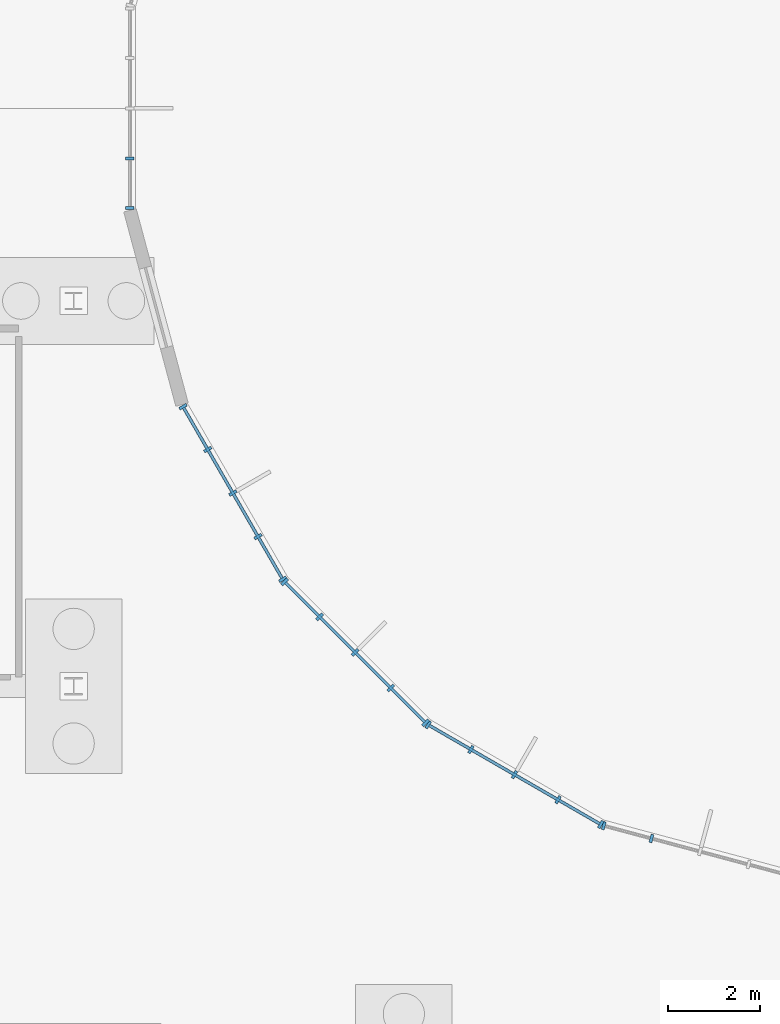
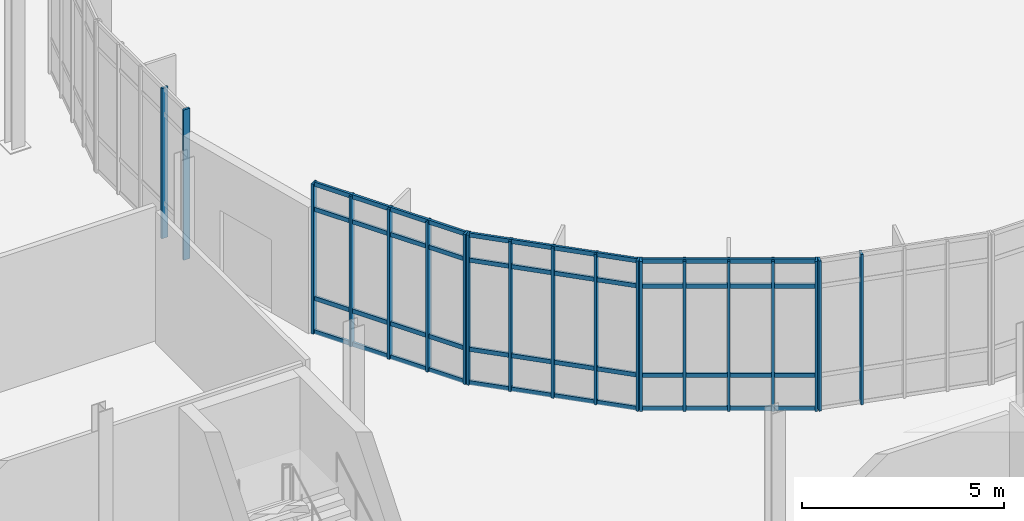
# One storey, part 38 of 118: 31 members, 5 elements without a shape of their own.
"""IFC4 building model written with IfcOpenShell, lengths in metres."""

from ifc_helpers import new_model, si_unit, direction, frame, origin, origin_2d, place, context, subcontext, project, spatial, rectangle, extrude, material, material_profile, profile_set, type_object, element, aggregate, save


model = new_model("IFC4")

# Units and contexts
model_context = context("Model", 3, precision=1e-05, world=origin(), true_north=direction((0.0, 1.0)))
body_context = subcontext(model_context, "Body", "Model", "MODEL_VIEW")
ifc_project = project(units=[si_unit("LENGTHUNIT", "METRE"), si_unit("AREAUNIT", "SQUARE_METRE"), si_unit("VOLUMEUNIT", "CUBIC_METRE"), si_unit("PLANEANGLEUNIT", "RADIAN"), si_unit("MASSUNIT", "GRAM", prefix="KILO")], contexts=[model_context])

# Site, building, storey
site_placement = place(None, origin())
site = spatial("IfcSite", under=ifc_project, at=site_placement, CompositionType="ELEMENT")
building_placement = place(site_placement, origin())
building = spatial("IfcBuilding", under=site, at=building_placement, Name="Qelthora Terrace Specialist Clinic", CompositionType="ELEMENT")
storey_placement = place(building_placement, origin())
storey = spatial("IfcBuildingStorey", under=building, at=storey_placement, Name="L00", CompositionType="ELEMENT", Elevation=0.0)

# Curtain wall, members
ifc_material = material(Name="Aluminium anodized bronze", Category="aluminium")
curtain_wall_type = type_object("IfcCurtainWallType", Name="CW-CRTE-L00", PredefinedType="NOTDEFINED", material=ifc_material)
curtain_wall_1_placement = place(storey_placement, origin())
curtain_wall_1 = element("IfcCurtainWall", 1, at=curtain_wall_1_placement, inside=storey, type_object=curtain_wall_type, Name="Curtain wall CW-CE-L00-12", PredefinedType="NOTDEFINED")
ifc_material_profile_1 = material_profile(ifc_material, rectangle(XDim=0.06494140625, YDim=0.179931640625, at=origin_2d()), Name="CWM65X180")
ifc_profile_set_1 = profile_set([ifc_material_profile_1], Name="Aluminium anodized bronze")
member_type_1 = type_object("IfcMemberType", Name="CWM-65X180", PredefinedType="MULLION", material=ifc_profile_set_1)
member_1_placement = place(storey_placement, frame((109.2236328125, 61.903564453125, 0.0), z_axis=(0.0, 0.0, 1.0), x_axis=(0.0, -1.0, 0.0)))
member_1 = element("IfcMember", 2, at=member_1_placement, type_object=member_type_1, Name="CW-CE-L00-12 mullion 4", PredefinedType="MULLION", context=body_context, shape_type="SweptSolid", body=[
    extrude(rectangle(XDim=0.06494140625, YDim=0.179931640625, at=origin_2d()), origin(), (0.0, 0.0, 1.0), 4.544921875),
])
member_2_placement = place(storey_placement, frame((109.2236328125, 60.8271484375, 0.0), z_axis=(0.0, 0.0, 1.0), x_axis=(0.0, -1.0, 0.0)))
member_2 = element("IfcMember", 3, at=member_2_placement, type_object=member_type_1, Name="CW-CE-L00-12 mullion 5", PredefinedType="MULLION", context=body_context, shape_type="SweptSolid", body=[
    extrude(rectangle(XDim=0.06494140625, YDim=0.179931640625, at=origin_2d()), origin(), (0.0, 0.0, 1.0), 4.544921875),
])
aggregate(curtain_wall_1, [member_1, member_2])

curtain_wall_2_placement = place(storey_placement, origin())
curtain_wall_2 = element("IfcCurtainWall", 4, at=curtain_wall_2_placement, inside=storey, type_object=curtain_wall_type, Name="Curtain wall CW-CE-L00-14", PredefinedType="NOTDEFINED")
member_3_placement = place(storey_placement, frame((110.385009765625, 56.49365234375, 0.0), z_axis=(0.0, 0.0, 1.0), x_axis=(0.500000028915, -0.86602538709, 0.0)))
member_3 = element("IfcMember", 5, at=member_3_placement, type_object=member_type_1, Name="CW-CE-L00-14 mullion 1", PredefinedType="MULLION", context=body_context, shape_type="SweptSolid", body=[
    extrude(rectangle(XDim=0.06494140625, YDim=0.179931640625, at=origin_2d()), origin(), (0.0, 0.0, 1.0), 4.544921875),
])
member_4_placement = place(storey_placement, frame((110.923095703125, 55.561279296875, 0.0), z_axis=(0.0, 0.0, 1.0), x_axis=(0.500000028915, -0.86602538709, 0.0)))
member_4 = element("IfcMember", 6, at=member_4_placement, type_object=member_type_1, Name="CW-CE-L00-14 mullion 2", PredefinedType="MULLION", context=body_context, shape_type="SweptSolid", body=[
    extrude(rectangle(XDim=0.06494140625, YDim=0.179931640625, at=origin_2d()), origin(), (0.0, 0.0, 1.0), 4.544921875),
])
member_5_placement = place(storey_placement, frame((111.471435546875, 54.61181640625, 0.0), z_axis=(0.0, 0.0, 1.0), x_axis=(0.500000028915, -0.86602538709, 0.0)))
member_5 = element("IfcMember", 7, at=member_5_placement, type_object=member_type_1, Name="CW-CE-L00-14 mullion 3", PredefinedType="MULLION", context=body_context, shape_type="SweptSolid", body=[
    extrude(rectangle(XDim=0.06494140625, YDim=0.179931640625, at=origin_2d()), origin(), (0.0, 0.0, 1.0), 4.544921875),
])
member_6_placement = place(storey_placement, frame((112.01953125, 53.662353515625, 0.0), z_axis=(0.0, 0.0, 1.0), x_axis=(0.500000028915, -0.86602538709, 0.0)))
member_6 = element("IfcMember", 8, at=member_6_placement, type_object=member_type_1, Name="CW-CE-L00-14 mullion 4", PredefinedType="MULLION", context=body_context, shape_type="SweptSolid", body=[
    extrude(rectangle(XDim=0.06494140625, YDim=0.179931640625, at=origin_2d()), origin(), (0.0, 0.0, 1.0), 4.544921875),
])
member_7_placement = place(storey_placement, frame((112.557861328125, 52.730224609375, 0.0), z_axis=(0.0, 0.0, 1.0), x_axis=(0.500000028915, -0.86602538709, 0.0)))
member_7 = element("IfcMember", 9, at=member_7_placement, type_object=member_type_1, Name="CW-CE-L00-14 mullion 5", PredefinedType="MULLION", context=body_context, shape_type="SweptSolid", body=[
    extrude(rectangle(XDim=0.06494140625, YDim=0.179931640625, at=origin_2d()), origin(), (0.0, 0.0, 1.0), 4.544921875),
])

curtain_wall_3_placement = place(storey_placement, origin())
curtain_wall_3 = element("IfcCurtainWall", 10, at=curtain_wall_3_placement, inside=storey, type_object=curtain_wall_type, Name="Curtain wall CW-CE-L00-15", PredefinedType="NOTDEFINED")
member_8_placement = place(storey_placement, frame((112.600830078125, 52.673828125, 0.0), z_axis=(0.0, 0.0, 1.0), x_axis=(0.707106781187, -0.707106781187, 0.0)))
member_8 = element("IfcMember", 11, at=member_8_placement, type_object=member_type_1, Name="CW-CE-L00-15 mullion 1", PredefinedType="MULLION", context=body_context, shape_type="SweptSolid", body=[
    extrude(rectangle(XDim=0.06494140625, YDim=0.179931640625, at=origin_2d()), origin(), (0.0, 0.0, 1.0), 4.544921875),
])
member_9_placement = place(storey_placement, frame((113.362060546875, 51.91259765625, 0.0), z_axis=(0.0, 0.0, 1.0), x_axis=(0.707106781187, -0.707106781187, 0.0)))
member_9 = element("IfcMember", 12, at=member_9_placement, type_object=member_type_1, Name="CW-CE-L00-15 mullion 2", PredefinedType="MULLION", context=body_context, shape_type="SweptSolid", body=[
    extrude(rectangle(XDim=0.06494140625, YDim=0.179931640625, at=origin_2d()), origin(), (0.0, 0.0, 1.0), 4.544921875),
])
member_10_placement = place(storey_placement, frame((114.137451171875, 51.137451171875, 0.0), z_axis=(0.0, 0.0, 1.0), x_axis=(0.707106781187, -0.707106781187, 0.0)))
member_10 = element("IfcMember", 13, at=member_10_placement, type_object=member_type_1, Name="CW-CE-L00-15 mullion 3", PredefinedType="MULLION", context=body_context, shape_type="SweptSolid", body=[
    extrude(rectangle(XDim=0.06494140625, YDim=0.179931640625, at=origin_2d()), origin(), (0.0, 0.0, 1.0), 4.544921875),
])
member_11_placement = place(storey_placement, frame((114.91259765625, 50.362060546875, 0.0), z_axis=(0.0, 0.0, 1.0), x_axis=(0.707106781187, -0.707106781187, 0.0)))
member_11 = element("IfcMember", 14, at=member_11_placement, type_object=member_type_1, Name="CW-CE-L00-15 mullion 4", PredefinedType="MULLION", context=body_context, shape_type="SweptSolid", body=[
    extrude(rectangle(XDim=0.06494140625, YDim=0.179931640625, at=origin_2d()), origin(), (0.0, 0.0, 1.0), 4.544921875),
])
member_12_placement = place(storey_placement, frame((115.673828125, 49.600830078125, 0.0), z_axis=(0.0, 0.0, 1.0), x_axis=(0.707106781187, -0.707106781187, 0.0)))
member_12 = element("IfcMember", 15, at=member_12_placement, type_object=member_type_1, Name="CW-CE-L00-15 mullion 5", PredefinedType="MULLION", context=body_context, shape_type="SweptSolid", body=[
    extrude(rectangle(XDim=0.06494140625, YDim=0.179931640625, at=origin_2d()), origin(), (0.0, 0.0, 1.0), 4.544921875),
])

curtain_wall_4_placement = place(storey_placement, origin())
curtain_wall_4 = element("IfcCurtainWall", 16, at=curtain_wall_4_placement, inside=storey, type_object=curtain_wall_type, Name="Curtain wall CW-CE-L00-16", PredefinedType="NOTDEFINED")
member_13_placement = place(storey_placement, frame((115.730224609375, 49.557861328125, 0.0), z_axis=(0.0, 0.0, 1.0), x_axis=(0.86602538709, -0.500000028915, 0.0)))
member_13 = element("IfcMember", 17, at=member_13_placement, type_object=member_type_1, Name="CW-CE-L00-16 mullion 1", PredefinedType="MULLION", context=body_context, shape_type="SweptSolid", body=[
    extrude(rectangle(XDim=0.06494140625, YDim=0.179931640625, at=origin_2d()), origin(), (0.0, 0.0, 1.0), 4.544921875),
])
member_14_placement = place(storey_placement, frame((116.662353515625, 49.01953125, 0.0), z_axis=(0.0, 0.0, 1.0), x_axis=(0.86602538709, -0.500000028915, 0.0)))
member_14 = element("IfcMember", 18, at=member_14_placement, type_object=member_type_1, Name="CW-CE-L00-16 mullion 2", PredefinedType="MULLION", context=body_context, shape_type="SweptSolid", body=[
    extrude(rectangle(XDim=0.06494140625, YDim=0.179931640625, at=origin_2d()), origin(), (0.0, 0.0, 1.0), 4.544921875),
])
member_15_placement = place(storey_placement, frame((117.61181640625, 48.471435546875, 0.0), z_axis=(0.0, 0.0, 1.0), x_axis=(0.86602538709, -0.500000028915, 0.0)))
member_15 = element("IfcMember", 19, at=member_15_placement, type_object=member_type_1, Name="CW-CE-L00-16 mullion 3", PredefinedType="MULLION", context=body_context, shape_type="SweptSolid", body=[
    extrude(rectangle(XDim=0.06494140625, YDim=0.179931640625, at=origin_2d()), origin(), (0.0, 0.0, 1.0), 4.544921875),
])
member_16_placement = place(storey_placement, frame((118.561279296875, 47.923095703125, 0.0), z_axis=(0.0, 0.0, 1.0), x_axis=(0.86602538709, -0.500000028915, 0.0)))
member_16 = element("IfcMember", 20, at=member_16_placement, type_object=member_type_1, Name="CW-CE-L00-16 mullion 4", PredefinedType="MULLION", context=body_context, shape_type="SweptSolid", body=[
    extrude(rectangle(XDim=0.06494140625, YDim=0.179931640625, at=origin_2d()), origin(), (0.0, 0.0, 1.0), 4.544921875),
])
member_17_placement = place(storey_placement, frame((119.49365234375, 47.385009765625, 0.0), z_axis=(0.0, 0.0, 1.0), x_axis=(0.86602538709, -0.500000028915, 0.0)))
member_17 = element("IfcMember", 21, at=member_17_placement, type_object=member_type_1, Name="CW-CE-L00-16 mullion 5", PredefinedType="MULLION", context=body_context, shape_type="SweptSolid", body=[
    extrude(rectangle(XDim=0.06494140625, YDim=0.179931640625, at=origin_2d()), origin(), (0.0, 0.0, 1.0), 4.544921875),
])

curtain_wall_5_placement = place(storey_placement, origin())
curtain_wall_5 = element("IfcCurtainWall", 22, at=curtain_wall_5_placement, inside=storey, type_object=curtain_wall_type, Name="Curtain wall CW-CE-L00-17", PredefinedType="NOTDEFINED")
member_18_placement = place(storey_placement, frame((119.55908203125, 47.357666015625, 0.0), z_axis=(0.0, 0.0, 1.0), x_axis=(0.965925660235, -0.258819664824, 0.0)))
member_18 = element("IfcMember", 23, at=member_18_placement, type_object=member_type_1, Name="CW-CE-L00-17 mullion 1", PredefinedType="MULLION", context=body_context, shape_type="SweptSolid", body=[
    extrude(rectangle(XDim=0.06494140625, YDim=0.179931640625, at=origin_2d()), origin(), (0.0, 0.0, 1.0), 4.544921875),
])
member_19_placement = place(storey_placement, frame((120.598876953125, 47.0791015625, 0.0), z_axis=(0.0, 0.0, 1.0), x_axis=(0.965925660235, -0.258819664824, 0.0)))
member_19 = element("IfcMember", 24, at=member_19_placement, type_object=member_type_1, Name="CW-CE-L00-17 mullion 2", PredefinedType="MULLION", context=body_context, shape_type="SweptSolid", body=[
    extrude(rectangle(XDim=0.06494140625, YDim=0.179931640625, at=origin_2d()), origin(), (0.0, 0.0, 1.0), 4.544921875),
])
aggregate(curtain_wall_5, [member_18, member_19])

# Member
ifc_material_profile_2 = material_profile(ifc_material, rectangle(XDim=0.06494140625, YDim=0.1298828125, at=origin_2d()), Name="CWT65X130")
ifc_profile_set_2 = profile_set([ifc_material_profile_2], Name="Aluminium anodized bronze")
member_type_2 = type_object("IfcMemberType", Name="CWT-65X130", PredefinedType="USERDEFINED", material=ifc_profile_set_2)
member_20_placement = place(storey_placement, frame((110.39501953125, 56.476318359375, 0.0400390625), z_axis=(0.500005500391, -0.866022228109, 0.0), x_axis=(0.866022228109, 0.500005500391, 0.0)))
member_20 = element("IfcMember", 25, at=member_20_placement, type_object=member_type_2, Name="CW-CE-L00-14 transom 1", ObjectType="TRANSOM", PredefinedType="USERDEFINED", context=body_context, shape_type="SweptSolid", body=[
    extrude(rectangle(XDim=0.06494140625, YDim=0.1298828125, at=origin_2d()), origin(), (0.0, 0.0, 1.0), 4.3056640625),
])

member_21_placement = place(storey_placement, frame((110.39501953125, 56.476318359375, 1.050048828125), z_axis=(0.500005500391, -0.866022228109, 0.0), x_axis=(0.866022228109, 0.500005500391, 0.0)))
member_21 = element("IfcMember", 26, at=member_21_placement, type_object=member_type_2, Name="CW-CE-L00-14 transom 2", ObjectType="TRANSOM", PredefinedType="USERDEFINED", context=body_context, shape_type="SweptSolid", body=[
    extrude(rectangle(XDim=0.06494140625, YDim=0.1298828125, at=origin_2d()), origin(), (0.0, 0.0, 1.0), 4.3056640625),
])

member_22_placement = place(storey_placement, frame((110.39501953125, 56.476318359375, 3.7451171875), z_axis=(0.500005500391, -0.866022228109, 0.0), x_axis=(0.866022228109, 0.500005500391, 0.0)))
member_22 = element("IfcMember", 27, at=member_22_placement, type_object=member_type_2, Name="CW-CE-L00-14 transom 3", ObjectType="TRANSOM", PredefinedType="USERDEFINED", context=body_context, shape_type="SweptSolid", body=[
    extrude(rectangle(XDim=0.06494140625, YDim=0.1298828125, at=origin_2d()), origin(), (0.0, 0.0, 1.0), 4.3056640625),
])

member_23_placement = place(storey_placement, frame((110.39501953125, 56.476318359375, 4.5048828125), z_axis=(0.500005500391, -0.866022228109, 0.0), x_axis=(0.866022228109, 0.500005500391, 0.0)))
member_23 = element("IfcMember", 28, at=member_23_placement, type_object=member_type_2, Name="CW-CE-L00-14 transom 4", ObjectType="TRANSOM", PredefinedType="USERDEFINED", context=body_context, shape_type="SweptSolid", body=[
    extrude(rectangle(XDim=0.06494140625, YDim=0.1298828125, at=origin_2d()), origin(), (0.0, 0.0, 1.0), 4.3056640625),
])

aggregate(curtain_wall_2, [member_3, member_4, member_5, member_6, member_7, member_20, member_21, member_22, member_23])

member_24_placement = place(storey_placement, frame((112.614990234375, 52.65966796875, 0.0400390625), z_axis=(0.707106781187, -0.707106781187, 0.0), x_axis=(0.707106781187, 0.707106781187, 0.0)))
member_24 = element("IfcMember", 29, at=member_24_placement, type_object=member_type_2, Name="CW-CE-L00-15 transom 1", ObjectType="TRANSOM", PredefinedType="USERDEFINED", context=body_context, shape_type="SweptSolid", body=[
    extrude(rectangle(XDim=0.06494140625, YDim=0.1298828125, at=origin_2d()), origin(), (0.0, 0.0, 1.0), 4.305908203125),
])

member_25_placement = place(storey_placement, frame((112.614990234375, 52.65966796875, 1.050048828125), z_axis=(0.707106781187, -0.707106781187, 0.0), x_axis=(0.707106781187, 0.707106781187, 0.0)))
member_25 = element("IfcMember", 30, at=member_25_placement, type_object=member_type_2, Name="CW-CE-L00-15 transom 2", ObjectType="TRANSOM", PredefinedType="USERDEFINED", context=body_context, shape_type="SweptSolid", body=[
    extrude(rectangle(XDim=0.06494140625, YDim=0.1298828125, at=origin_2d()), origin(), (0.0, 0.0, 1.0), 4.305908203125),
])

member_26_placement = place(storey_placement, frame((112.614990234375, 52.65966796875, 3.7451171875), z_axis=(0.707106781187, -0.707106781187, 0.0), x_axis=(0.707106781187, 0.707106781187, 0.0)))
member_26 = element("IfcMember", 31, at=member_26_placement, type_object=member_type_2, Name="CW-CE-L00-15 transom 3", ObjectType="TRANSOM", PredefinedType="USERDEFINED", context=body_context, shape_type="SweptSolid", body=[
    extrude(rectangle(XDim=0.06494140625, YDim=0.1298828125, at=origin_2d()), origin(), (0.0, 0.0, 1.0), 4.305908203125),
])

member_27_placement = place(storey_placement, frame((112.614990234375, 52.65966796875, 4.5048828125), z_axis=(0.707106781187, -0.707106781187, 0.0), x_axis=(0.707106781187, 0.707106781187, 0.0)))
member_27 = element("IfcMember", 32, at=member_27_placement, type_object=member_type_2, Name="CW-CE-L00-15 transom 4", ObjectType="TRANSOM", PredefinedType="USERDEFINED", context=body_context, shape_type="SweptSolid", body=[
    extrude(rectangle(XDim=0.06494140625, YDim=0.1298828125, at=origin_2d()), origin(), (0.0, 0.0, 1.0), 4.305908203125),
])

aggregate(curtain_wall_3, [member_8, member_9, member_10, member_11, member_12, member_24, member_25, member_26, member_27])

member_28_placement = place(storey_placement, frame((115.74755859375, 49.5478515625, 0.0400390625), z_axis=(0.866022228109, -0.500005500391, 0.0), x_axis=(0.500005500391, 0.866022228109, 0.0)))
member_28 = element("IfcMember", 33, at=member_28_placement, type_object=member_type_2, Name="CW-CE-L00-16 transom 1", ObjectType="TRANSOM", PredefinedType="USERDEFINED", context=body_context, shape_type="SweptSolid", body=[
    extrude(rectangle(XDim=0.06494140625, YDim=0.1298828125, at=origin_2d()), origin(), (0.0, 0.0, 1.0), 4.3056640625),
])

member_29_placement = place(storey_placement, frame((115.74755859375, 49.5478515625, 1.050048828125), z_axis=(0.866022228109, -0.500005500391, 0.0), x_axis=(0.500005500391, 0.866022228109, 0.0)))
member_29 = element("IfcMember", 34, at=member_29_placement, type_object=member_type_2, Name="CW-CE-L00-16 transom 2", ObjectType="TRANSOM", PredefinedType="USERDEFINED", context=body_context, shape_type="SweptSolid", body=[
    extrude(rectangle(XDim=0.06494140625, YDim=0.1298828125, at=origin_2d()), origin(), (0.0, 0.0, 1.0), 4.3056640625),
])

member_30_placement = place(storey_placement, frame((115.74755859375, 49.5478515625, 3.7451171875), z_axis=(0.866022228109, -0.500005500391, 0.0), x_axis=(0.500005500391, 0.866022228109, 0.0)))
member_30 = element("IfcMember", 35, at=member_30_placement, type_object=member_type_2, Name="CW-CE-L00-16 transom 3", ObjectType="TRANSOM", PredefinedType="USERDEFINED", context=body_context, shape_type="SweptSolid", body=[
    extrude(rectangle(XDim=0.06494140625, YDim=0.1298828125, at=origin_2d()), origin(), (0.0, 0.0, 1.0), 4.3056640625),
])

member_31_placement = place(storey_placement, frame((115.74755859375, 49.5478515625, 4.5048828125), z_axis=(0.866022228109, -0.500005500391, 0.0), x_axis=(0.500005500391, 0.866022228109, 0.0)))
member_31 = element("IfcMember", 36, at=member_31_placement, type_object=member_type_2, Name="CW-CE-L00-16 transom 4", ObjectType="TRANSOM", PredefinedType="USERDEFINED", context=body_context, shape_type="SweptSolid", body=[
    extrude(rectangle(XDim=0.06494140625, YDim=0.1298828125, at=origin_2d()), origin(), (0.0, 0.0, 1.0), 4.3056640625),
])

aggregate(curtain_wall_4, [member_13, member_14, member_15, member_16, member_17, member_28, member_29, member_30, member_31])

save(model, "model.ifc")
